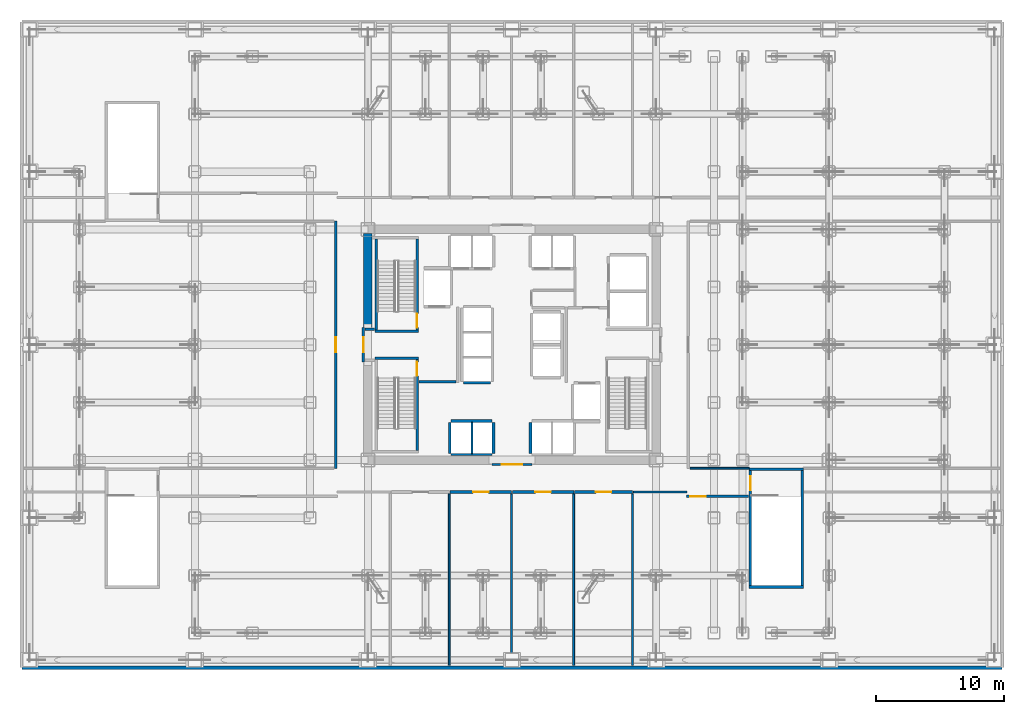
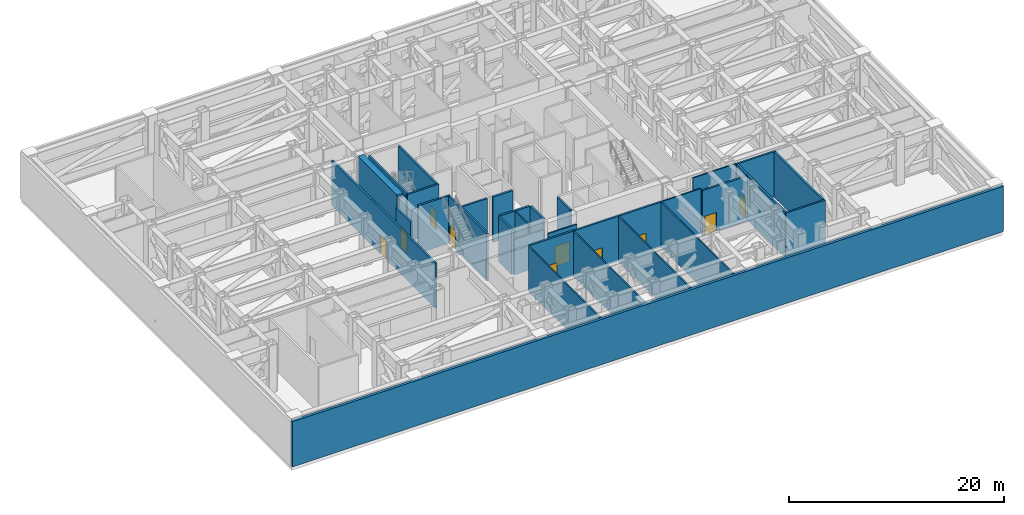
# One storey, part 10 of 17: 33 walls, 10 doors, 10 openings.
"""IFC4 building model written with IfcOpenShell, lengths in metres."""

from ifc_helpers import new_model, si_unit, direction, frame, frame_2d, origin, place, context, subcontext, project, spatial, rectangle, extrude, source, transform, mapped, material, layer, layer_set, type_object, element, fill, save


model = new_model("IFC4")

# Units and contexts
model_context = context("Model", 3, precision=1e-05, world=origin(), true_north=direction((0.0, 1.0)))
body_context = subcontext(model_context, "Body", "Model", "MODEL_VIEW")
ifc_project = project(units=[si_unit("LENGTHUNIT", "METRE"), si_unit("AREAUNIT", "SQUARE_METRE"), si_unit("VOLUMEUNIT", "CUBIC_METRE"), si_unit("PLANEANGLEUNIT", "RADIAN"), si_unit("MASSUNIT", "GRAM", prefix="KILO")], contexts=[model_context])

# Site, building, storey
site_placement = place(None, origin())
site = spatial("IfcSite", under=ifc_project, at=site_placement, CompositionType="ELEMENT")
building_placement = place(site_placement, origin())
building = spatial("IfcBuilding", under=site, at=building_placement, Name="Nefas-Gora Pilgrimage Tower", CompositionType="ELEMENT")
storey_placement = place(building_placement, frame((0.0, 0.0, 27.60009765625)))
storey = spatial("IfcBuildingStorey", under=building, at=storey_placement, Name="L05", CompositionType="ELEMENT", Elevation=27.60009765625)

# Walls
ifc_material_1 = material(Name="Concrete C60/75", Category="concrete")
ifc_layer_1 = layer(ifc_material_1, 0.64990234375)
ifc_layer_set_1 = layer_set([ifc_layer_1], Name="Concrete C60/75")
wall_type_1 = type_object("IfcWallType", Name="SW-CORE-650", PredefinedType="SHEAR", material=ifc_layer_set_1)
shared_shape_1 = source(origin(), body_context, "Body", "SweptSolid", [
    extrude(rectangle(XDim=7.324951171875, YDim=0.64990234375, at=frame_2d((3.66259765625, 0.0))), origin(), (0.0, 0.0, 1.0), 5.39990234375),
])
wall_1_placement = place(storey_placement, frame((-11.25, 1.35009765625, 0.0), z_axis=(0.0, 0.0, 1.0), x_axis=(0.0, 1.0, 0.0)))
element("IfcWall", 1, at=wall_1_placement, inside=storey, type_object=wall_type_1, Name="L05 Core Shear Wall W-North", PredefinedType="SHEAR", context=body_context, shape_type="MappedRepresentation", body=[
    mapped(shared_shape_1, transform((0.0, 0.0, 0.0), x_axis=(1.0, 0.0, 0.0), y_axis=(0.0, 1.0, 0.0), z_axis=(0.0, 0.0, 1.0), scale=1.0)),
])
ifc_material_2 = material(Name="Precast concrete C45/55", Category="concrete")
ifc_layer_2 = layer(ifc_material_2, 0.280029296875)
ifc_layer_set_2 = layer_set([ifc_layer_2], Name="Precast concrete C45/55")
wall_type_2 = type_object("IfcWallType", Name="EW-PLANT-280", PredefinedType="SOLIDWALL", material=ifc_layer_set_2)
shared_shape_2 = source(origin(), body_context, "Body", "SweptSolid", [
    extrude(rectangle(XDim=76.5, YDim=0.280029296875, at=frame_2d((38.25, 0.0))), origin(), (0.0, 0.0, 1.0), 5.14990234375),
])
wall_2_placement = place(storey_placement, frame((-38.25, -25.199951171875, 0.0), z_axis=(0.0, 0.0, 1.0), x_axis=(1.0, 0.0, 0.0)))
element("IfcWall", 2, at=wall_2_placement, inside=storey, type_object=wall_type_2, Name="L05 Transfer Deck Precast Spandrel Cladding 4", PredefinedType="SOLIDWALL", context=body_context, shape_type="MappedRepresentation", body=[
    mapped(shared_shape_2, transform((0.0, 0.0, 0.0), x_axis=(1.0, 0.0, 0.0), y_axis=(0.0, 1.0, 0.0), z_axis=(0.0, 0.0, 1.0), scale=1.0)),
])
ifc_material_3 = material(Name="Concrete C45/55", Category="concrete")
ifc_layer_3 = layer(ifc_material_3, 0.199951171875)
ifc_layer_set_3 = layer_set([ifc_layer_3], Name="Concrete C45/55")
wall_type_3 = type_object("IfcWallType", Name="IW-STAIR-200", PredefinedType="SOLIDWALL", material=ifc_layer_set_3)
shared_shape_3 = source(origin(), body_context, "Body", "SweptSolid", [
    extrude(rectangle(XDim=3.39990234375, YDim=0.199951171875, at=frame_2d((1.699951171875, 0.0))), origin(), (0.0, 0.0, 1.0), 5.39990234375),
])
for number, where, z_axis, x_axis, name in (
    (3, (-7.300048828125, 1.050048828125, 0.0), (0.0, 0.0, 1.0), (-1.0, 0.0, 0.0), "L05 Stairwell Shear Wall ST-01-near"),
    (4, (-10.699951171875, -1.050048828125, 0.0), (0.0, 0.0, 1.0), (1.0, 0.0, 0.0), "L05 Stairwell Shear Wall ST-03-near"),
):
    element("IfcWall", number, at=place(storey_placement, frame(where, z_axis=z_axis, x_axis=x_axis)), inside=storey, type_object=wall_type_3, Name=name, PredefinedType="SOLIDWALL", context=body_context, shape_type="MappedRepresentation", body=[
        mapped(shared_shape_3, transform((0.0, 0.0, 0.0), x_axis=(1.0, 0.0, 0.0), y_axis=(0.0, 1.0, 0.0), z_axis=(0.0, 0.0, 1.0), scale=1.0)),
    ])

# Wall, opening, door
shared_shape_4 = source(origin(), body_context, "Body", "SweptSolid", [
    extrude(rectangle(XDim=7.10009765625, YDim=0.199951171875, at=frame_2d((3.550048828125, 0.0))), origin(), (0.0, 0.0, 1.0), 5.39990234375),
])
wall_3_placement = place(storey_placement, frame((-7.39990234375, 1.14990234375, 0.0), z_axis=(0.0, 0.0, 1.0), x_axis=(0.0, 1.0, 0.0)))
wall_3 = element("IfcWall", 5, at=wall_3_placement, inside=storey, type_object=wall_type_3, Name="L05 Stairwell Shear Wall ST-01-left", PredefinedType="SOLIDWALL", context=body_context, shape_type="MappedRepresentation", body=[
    mapped(shared_shape_4, transform((0.0, 0.0, 0.0), x_axis=(1.0, 0.0, 0.0), y_axis=(0.0, 1.0, 0.0), z_axis=(0.0, 0.0, 1.0), scale=1.0)),
])
opening_1_placement = place(wall_3_placement, frame((0.179931640625, 0.0, 0.0)))
opening_1 = element("IfcOpeningElement", 6, at=opening_1_placement, cuts=wall_3, Name="Opening ID-ST1", PredefinedType="OPENING", context=body_context, shape_type="SweptSolid", body=[
    extrude(rectangle(XDim=1.10009765625, YDim=2.14990234375, at=frame_2d((0.550048828125, 1.074951171875))), frame((0.0, 0.10986328125, 0.0), z_axis=(0.0, -1.0, 0.0), x_axis=(1.0, 0.0, 0.0)), (0.0, 0.0, 1.0), 0.219970703125),
])
ifc_material_4 = material(Name="Painted galvanised steel fire stair door", Category="steel")
door_type_1 = type_object("IfcDoorType", Name="DR-INT-STAIR-1100", OperationType="NOTDEFINED", PredefinedType="DOOR", material=ifc_material_4)
shared_shape_5 = source(origin(), body_context, "Body", "SweptSolid", [
    extrude(rectangle(XDim=1.10009765625, YDim=2.14990234375, at=frame_2d((0.550048828125, 1.074951171875))), frame((0.0, 0.02490234375, 0.0), z_axis=(0.0, -1.0, 0.0), x_axis=(1.0, 0.0, 0.0)), (0.0, 0.0, 1.0), 0.050048828125),
])
door_1_placement = place(opening_1_placement, origin())
door_1 = element("IfcDoor", 7, at=door_1_placement, inside=storey, type_object=door_type_1, Name="L05 Protected Exit Stair Door ST-01", OperationType="SINGLE_SWING_LEFT", OverallHeight=2.14990234375, OverallWidth=1.10009765625, PredefinedType="DOOR", context=body_context, shape_type="MappedRepresentation", body=[
    mapped(shared_shape_5, transform((0.0, 0.0, 0.0), x_axis=(1.0, 0.0, 0.0), y_axis=(0.0, 1.0, 0.0), z_axis=(0.0, 0.0, 1.0), scale=1.0)),
])
fill(opening_1, door_1)

# Wall
wall_4_placement = place(storey_placement, frame((-10.60009765625, 1.14990234375, 0.0), z_axis=(0.0, 0.0, 1.0), x_axis=(0.0, 1.0, 0.0)))
element("IfcWall", 8, at=wall_4_placement, inside=storey, type_object=wall_type_3, Name="L05 Stairwell Shear Wall ST-01-right", PredefinedType="SOLIDWALL", context=body_context, shape_type="MappedRepresentation", body=[
    mapped(shared_shape_4, transform((0.0, 0.0, 0.0), x_axis=(1.0, 0.0, 0.0), y_axis=(0.0, 1.0, 0.0), z_axis=(0.0, 0.0, 1.0), scale=1.0)),
])

# Wall, opening, door
wall_5_placement = place(storey_placement, frame((-7.39990234375, -1.14990234375, 0.0), z_axis=(0.0, 0.0, 1.0), x_axis=(0.0, -1.0, 0.0)))
wall_5 = element("IfcWall", 9, at=wall_5_placement, inside=storey, type_object=wall_type_3, Name="L05 Stairwell Shear Wall ST-03-right", PredefinedType="SOLIDWALL", context=body_context, shape_type="MappedRepresentation", body=[
    mapped(shared_shape_4, transform((0.0, 0.0, 0.0), x_axis=(1.0, 0.0, 0.0), y_axis=(0.0, 1.0, 0.0), z_axis=(0.0, 0.0, 1.0), scale=1.0)),
])
opening_2_placement = place(wall_5_placement, frame((0.179931640625, 0.0, 0.0)))
opening_2 = element("IfcOpeningElement", 10, at=opening_2_placement, cuts=wall_5, Name="Opening ID-ST1", PredefinedType="OPENING", context=body_context, shape_type="SweptSolid", body=[
    extrude(rectangle(XDim=1.10009765625, YDim=2.14990234375, at=frame_2d((0.550048828125, 1.074951171875))), frame((0.0, 0.10986328125, 0.0), z_axis=(0.0, -1.0, 0.0), x_axis=(1.0, 0.0, 0.0)), (0.0, 0.0, 1.0), 0.219970703125),
])
door_2_placement = place(opening_2_placement, origin())
door_2 = element("IfcDoor", 11, at=door_2_placement, inside=storey, type_object=door_type_1, Name="L05 Protected Exit Stair Door ST-03", OperationType="SINGLE_SWING_LEFT", OverallHeight=2.14990234375, OverallWidth=1.10009765625, PredefinedType="DOOR", context=body_context, shape_type="MappedRepresentation", body=[
    mapped(shared_shape_5, transform((0.0, 0.0, 0.0), x_axis=(1.0, 0.0, 0.0), y_axis=(0.0, 1.0, 0.0), z_axis=(0.0, 0.0, 1.0), scale=1.0)),
])
fill(opening_2, door_2)

# Walls
shared_shape_6 = source(origin(), body_context, "Body", "SweptSolid", [
    extrude(rectangle(XDim=4.239990234375, YDim=0.199951171875, at=frame_2d((2.1201171875, 0.0))), origin(), (0.0, 0.0, 1.0), 5.14990234375),
])
for number, where, z_axis, x_axis, name in (
    (12, (18.5, -9.699951171875, 0.0), (0.0, 0.0, 1.0), (1.0, 0.0, 0.0), "L05 Stairwell Shear Wall ST-06-near"),
    (13, (18.5, -18.89990234375, 0.0), (0.0, 0.0, 1.0), (1.0, 0.0, 0.0), "L05 Stairwell Shear Wall ST-06-far"),
):
    element("IfcWall", number, at=place(storey_placement, frame(where, z_axis=z_axis, x_axis=x_axis)), inside=storey, type_object=wall_type_3, Name=name, PredefinedType="SOLIDWALL", context=body_context, shape_type="MappedRepresentation", body=[
        mapped(shared_shape_6, transform((0.0, 0.0, 0.0), x_axis=(1.0, 0.0, 0.0), y_axis=(0.0, 1.0, 0.0), z_axis=(0.0, 0.0, 1.0), scale=1.0)),
    ])

# Wall, opening, door
shared_shape_7 = source(origin(), body_context, "Body", "SweptSolid", [
    extrude(rectangle(XDim=9.0, YDim=0.199951171875, at=frame_2d((4.5, 0.0))), origin(), (0.0, 0.0, 1.0), 5.14990234375),
])
wall_6_placement = place(storey_placement, frame((18.60009765625, -9.800048828125, 0.0), z_axis=(0.0, 0.0, 1.0), x_axis=(0.0, -1.0, 0.0)))
wall_6 = element("IfcWall", 14, at=wall_6_placement, inside=storey, type_object=wall_type_3, Name="L05 Stairwell Shear Wall ST-06-left", PredefinedType="SOLIDWALL", context=body_context, shape_type="MappedRepresentation", body=[
    mapped(shared_shape_7, transform((0.0, 0.0, 0.0), x_axis=(1.0, 0.0, 0.0), y_axis=(0.0, 1.0, 0.0), z_axis=(0.0, 0.0, 1.0), scale=1.0)),
])
opening_3_placement = place(wall_6_placement, frame((0.449951171875, 0.0, 0.0)))
opening_3 = element("IfcOpeningElement", 15, at=opening_3_placement, cuts=wall_6, Name="Opening ID-ST1", PredefinedType="OPENING", context=body_context, shape_type="SweptSolid", body=[
    extrude(rectangle(XDim=1.10009765625, YDim=2.14990234375, at=frame_2d((0.550048828125, 1.074951171875))), frame((0.0, 0.10986328125, 0.0), z_axis=(0.0, -1.0, 0.0), x_axis=(1.0, 0.0, 0.0)), (0.0, 0.0, 1.0), 0.219970703125),
])
door_3_placement = place(opening_3_placement, origin())
door_3 = element("IfcDoor", 16, at=door_3_placement, inside=storey, type_object=door_type_1, Name="L05 Protected Exit Stair Door ST-06", OperationType="SINGLE_SWING_LEFT", OverallHeight=2.14990234375, OverallWidth=1.10009765625, PredefinedType="DOOR", context=body_context, shape_type="MappedRepresentation", body=[
    mapped(shared_shape_5, transform((0.0, 0.0, 0.0), x_axis=(1.0, 0.0, 0.0), y_axis=(0.0, 1.0, 0.0), z_axis=(0.0, 0.0, 1.0), scale=1.0)),
])
fill(opening_3, door_3)

# Walls
wall_7_placement = place(storey_placement, frame((22.639892578125, -9.800048828125, 0.0), z_axis=(0.0, 0.0, 1.0), x_axis=(0.0, -1.0, 0.0)))
element("IfcWall", 17, at=wall_7_placement, inside=storey, type_object=wall_type_3, Name="L05 Stairwell Shear Wall ST-06-right", PredefinedType="SOLIDWALL", context=body_context, shape_type="MappedRepresentation", body=[
    mapped(shared_shape_7, transform((0.0, 0.0, 0.0), x_axis=(1.0, 0.0, 0.0), y_axis=(0.0, 1.0, 0.0), z_axis=(0.0, 0.0, 1.0), scale=1.0)),
])
ifc_material_5 = material(Name="Concrete C40/50", Category="concrete")
ifc_layer_4 = layer(ifc_material_5, 0.219970703125)
ifc_layer_set_4 = layer_set([ifc_layer_4], Name="Concrete C40/50")
wall_type_4 = type_object("IfcWallType", Name="IW-SHAFT-220", PredefinedType="SOLIDWALL", material=ifc_layer_set_4)
shared_shape_8 = source(origin(), body_context, "Body", "SweptSolid", [
    extrude(rectangle(XDim=3.199951171875, YDim=0.219970703125, at=frame_2d((1.60009765625, 0.0))), origin(), (0.0, 0.0, 1.0), 5.135009765625),
])
wall_8_placement = place(storey_placement, frame((-1.550048828125, -5.93994140625, 0.0), z_axis=(0.0, 0.0, 1.0), x_axis=(-1.0, 0.0, 0.0)))
element("IfcWall", 18, at=wall_8_placement, inside=storey, type_object=wall_type_4, Name="L05 Hoistway Wall PL2-W-N", PredefinedType="SOLIDWALL", context=body_context, shape_type="MappedRepresentation", body=[
    mapped(shared_shape_8, transform((0.0, 0.0, 0.0), x_axis=(1.0, 0.0, 0.0), y_axis=(0.0, 1.0, 0.0), z_axis=(0.0, 0.0, 1.0), scale=1.0)),
])
ifc_material_6 = material(Name="Gypsum acoustic stud partition")
ifc_layer_5 = layer(ifc_material_6, 0.159912109375)
ifc_layer_set_5 = layer_set([ifc_layer_5], Name="Gypsum acoustic stud partition")
wall_type_5 = type_object("IfcWallType", Name="IW-CORR-160", PredefinedType="PARTITIONING", material=ifc_layer_set_5)
shared_shape_9 = source(origin(), body_context, "Body", "SweptSolid", [
    extrude(rectangle(XDim=3.199951171875, YDim=0.159912109375, at=frame_2d((1.60009765625, 0.0))), origin(), (0.0, 0.0, 1.0), 4.02490234375),
])
wall_9_placement = place(storey_placement, frame((-4.75, -8.580078125, 0.0), z_axis=(0.0, 0.0, 1.0), x_axis=(1.0, 0.0, 0.0)))
element("IfcWall", 19, at=wall_9_placement, inside=storey, type_object=wall_type_5, Name="L05 Hoistway Wall PL2-W-S", PredefinedType="PARTITIONING", context=body_context, shape_type="MappedRepresentation", body=[
    mapped(shared_shape_9, transform((0.0, 0.0, 0.0), x_axis=(1.0, 0.0, 0.0), y_axis=(0.0, 1.0, 0.0), z_axis=(0.0, 0.0, 1.0), scale=1.0)),
])
shared_shape_10 = source(origin(), body_context, "Body", "SweptSolid", [
    extrude(rectangle(XDim=2.429931640625, YDim=0.219970703125, at=frame_2d((1.21484375, 0.0))), origin(), (0.0, 0.0, 1.0), 5.135009765625),
])
for number, where, z_axis, x_axis, name in (
    (20, (-4.860107421875, -6.06005859375, 0.0), (0.0, 0.0, 1.0), (0.0, -1.0, 0.0), "L05 Hoistway Wall PL2-W-W"),
    (21, (-1.43994140625, -8.489990234375, 0.0), (0.0, 0.0, 1.0), (0.0, 1.0, 0.0), "L05 Hoistway Wall PL2-W-E"),
    (22, (1.43994140625, -6.06005859375, 0.0), (0.0, 0.0, 1.0), (0.0, -1.0, 0.0), "L05 Hoistway Wall PL2-E-W"),
):
    element("IfcWall", number, at=place(storey_placement, frame(where, z_axis=z_axis, x_axis=x_axis)), inside=storey, type_object=wall_type_4, Name=name, PredefinedType="SOLIDWALL", context=body_context, shape_type="MappedRepresentation", body=[
        mapped(shared_shape_10, transform((0.0, 0.0, 0.0), x_axis=(1.0, 0.0, 0.0), y_axis=(0.0, 1.0, 0.0), z_axis=(0.0, 0.0, 1.0), scale=1.0)),
    ])
ifc_material_7 = material(Name="Gypsum twin-stud partition")
ifc_layer_6 = layer(ifc_material_7, 0.139892578125)
ifc_layer_set_6 = layer_set([ifc_layer_6], Name="Gypsum twin-stud partition")
wall_type_6 = type_object("IfcWallType", Name="IW-UNIT-140", PredefinedType="PARTITIONING", material=ifc_layer_set_6)
shared_shape_11 = source(origin(), body_context, "Body", "SweptSolid", [
    extrude(rectangle(XDim=2.429931640625, YDim=0.139892578125, at=frame_2d((1.21484375, 0.0))), origin(), (0.0, 0.0, 1.0), 5.135009765625),
])
wall_10_placement = place(storey_placement, frame((-3.125, -8.489990234375, 0.0), z_axis=(0.0, 0.0, 1.0), x_axis=(0.0, 1.0, 0.0)))
element("IfcWall", 23, at=wall_10_placement, inside=storey, type_object=wall_type_6, Name="L05 Hoistway Wall PL2-W-DIV", PredefinedType="PARTITIONING", context=body_context, shape_type="MappedRepresentation", body=[
    mapped(shared_shape_11, transform((0.0, 0.0, 0.0), x_axis=(1.0, 0.0, 0.0), y_axis=(0.0, 1.0, 0.0), z_axis=(0.0, 0.0, 1.0), scale=1.0)),
])
shared_shape_12 = source(origin(), body_context, "Body", "SweptSolid", [
    extrude(rectangle(XDim=2.130126953125, YDim=0.219970703125, at=frame_2d((1.06494140625, 0.0))), origin(), (0.0, 0.0, 1.0), 5.135009765625),
])
wall_11_placement = place(storey_placement, frame((-3.7900390625, -2.9599609375, 0.0), z_axis=(0.0, 0.0, 1.0), x_axis=(1.0, 0.0, 0.0)))
element("IfcWall", 24, at=wall_11_placement, inside=storey, type_object=wall_type_4, Name="L05 Hoistway Wall PL3-01-S", PredefinedType="SOLIDWALL", context=body_context, shape_type="MappedRepresentation", body=[
    mapped(shared_shape_12, transform((0.0, 0.0, 0.0), x_axis=(1.0, 0.0, 0.0), y_axis=(0.0, 1.0, 0.0), z_axis=(0.0, 0.0, 1.0), scale=1.0)),
])

# Wall, opening, door
ifc_material_8 = material(Name="Gypsum fire-rated shaftwall")
ifc_layer_7 = layer(ifc_material_8, 0.199951171875)
ifc_layer_set_7 = layer_set([ifc_layer_7], Name="Gypsum fire-rated shaftwall")
wall_type_7 = type_object("IfcWallType", Name="IW-FFLOB-200", PredefinedType="PARTITIONING", material=ifc_layer_set_7)
shared_shape_13 = source(origin(), body_context, "Body", "SweptSolid", [
    extrude(rectangle(XDim=2.7001953125, YDim=0.199951171875, at=frame_2d((1.35009765625, 0.0))), origin(), (0.0, 0.0, 1.0), 4.02490234375),
])
wall_12_placement = place(storey_placement, frame((-11.60009765625, -1.35009765625, 0.0), z_axis=(0.0, 0.0, 1.0), x_axis=(0.0, 1.0, 0.0)))
wall_12 = element("IfcWall", 25, at=wall_12_placement, inside=storey, type_object=wall_type_7, Name="L05 FF Lobby West Portal Wall 3", PredefinedType="PARTITIONING", context=body_context, shape_type="MappedRepresentation", body=[
    mapped(shared_shape_13, transform((0.0, 0.0, 0.0), x_axis=(1.0, 0.0, 0.0), y_axis=(0.0, 1.0, 0.0), z_axis=(0.0, 0.0, 1.0), scale=1.0)),
])
opening_4_placement = place(wall_12_placement, frame((0.75, 0.0, 0.0)))
opening_4 = element("IfcOpeningElement", 26, at=opening_4_placement, cuts=wall_12, Name="Opening ID-FF1", PredefinedType="OPENING", context=body_context, shape_type="SweptSolid", body=[
    extrude(rectangle(XDim=1.199951171875, YDim=2.14990234375, at=frame_2d((0.60009765625, 1.074951171875))), frame((0.0, 0.10986328125, 0.0), z_axis=(0.0, -1.0, 0.0), x_axis=(1.0, 0.0, 0.0)), (0.0, 0.0, 1.0), 0.219970703125),
])
ifc_material_9 = material(Name="Smoke-sealed steel firefighting lobby door", Category="steel")
door_type_2 = type_object("IfcDoorType", Name="DR-INT-FFLOB-1200", OperationType="NOTDEFINED", PredefinedType="DOOR", material=ifc_material_9)
shared_shape_14 = source(origin(), body_context, "Body", "SweptSolid", [
    extrude(rectangle(XDim=1.199951171875, YDim=2.14990234375, at=frame_2d((0.60009765625, 1.074951171875))), frame((0.0, 0.02490234375, 0.0), z_axis=(0.0, -1.0, 0.0), x_axis=(1.0, 0.0, 0.0)), (0.0, 0.0, 1.0), 0.050048828125),
])
door_4_placement = place(opening_4_placement, origin())
door_4 = element("IfcDoor", 27, at=door_4_placement, inside=storey, type_object=door_type_2, Name="L05 FF Lobby West Portal Door 1", OperationType="SINGLE_SWING_LEFT", OverallHeight=2.14990234375, OverallWidth=1.199951171875, PredefinedType="DOOR", context=body_context, shape_type="MappedRepresentation", body=[
    mapped(shared_shape_14, transform((0.0, 0.0, 0.0), x_axis=(1.0, 0.0, 0.0), y_axis=(0.0, 1.0, 0.0), z_axis=(0.0, 0.0, 1.0), scale=1.0)),
])
fill(opening_4, door_4)

# Walls
shared_shape_15 = source(origin(), body_context, "Body", "SweptSolid", [
    extrude(rectangle(XDim=2.89990234375, YDim=0.199951171875, at=frame_2d((1.449951171875, 0.0))), origin(), (0.0, 0.0, 1.0), 5.135009765625),
])
wall_13_placement = place(storey_placement, frame((-7.260009765625, -2.89990234375, 0.0), z_axis=(0.0, 0.0, 1.0), x_axis=(1.0, 0.0, 0.0)))
element("IfcWall", 28, at=wall_13_placement, inside=storey, type_object=wall_type_7, Name="L05 FF Lobby West South Wall Wall 5", PredefinedType="PARTITIONING", context=body_context, shape_type="MappedRepresentation", body=[
    mapped(shared_shape_15, transform((0.0, 0.0, 0.0), x_axis=(1.0, 0.0, 0.0), y_axis=(0.0, 1.0, 0.0), z_axis=(0.0, 0.0, 1.0), scale=1.0)),
])
shared_shape_16 = source(origin(), body_context, "Body", "SweptSolid", [
    extrude(rectangle(XDim=0.719970703125, YDim=0.199951171875, at=frame_2d((0.35986328125, 0.0))), origin(), (0.0, 0.0, 1.0), 5.135009765625),
])
wall_14_placement = place(storey_placement, frame((-11.4599609375, 1.219970703125, 0.0), z_axis=(0.0, 0.0, 1.0), x_axis=(1.0, 0.0, 0.0)))
element("IfcWall", 29, at=wall_14_placement, inside=storey, type_object=wall_type_7, Name="L05 FF Lobby West Throat N Wall 6", PredefinedType="PARTITIONING", context=body_context, shape_type="MappedRepresentation", body=[
    mapped(shared_shape_16, transform((0.0, 0.0, 0.0), x_axis=(1.0, 0.0, 0.0), y_axis=(0.0, 1.0, 0.0), z_axis=(0.0, 0.0, 1.0), scale=1.0)),
])

# Wall, opening, door
shared_shape_17 = source(origin(), body_context, "Body", "SweptSolid", [
    extrude(rectangle(XDim=3.08984375, YDim=0.159912109375, at=frame_2d((1.544921875, 0.0))), origin(), (0.0, 0.0, 1.0), 4.02490234375),
])
wall_15_placement = place(storey_placement, frame((-1.544921875, -9.35009765625, 0.0), z_axis=(0.0, 0.0, 1.0), x_axis=(1.0, 0.0, 0.0)))
wall_15 = element("IfcWall", 30, at=wall_15_placement, inside=storey, type_object=wall_type_5, Name="L05 Central Lift Lobby South Portal Wall 15", PredefinedType="PARTITIONING", context=body_context, shape_type="MappedRepresentation", body=[
    mapped(shared_shape_17, transform((0.0, 0.0, 0.0), x_axis=(1.0, 0.0, 0.0), y_axis=(0.0, 1.0, 0.0), z_axis=(0.0, 0.0, 1.0), scale=1.0)),
])
opening_5_placement = place(wall_15_placement, frame((0.7451171875, 0.0, 0.0)))
opening_5 = element("IfcOpeningElement", 31, at=opening_5_placement, cuts=wall_15, Name="Opening ID-HL1", PredefinedType="OPENING", context=body_context, shape_type="SweptSolid", body=[
    extrude(rectangle(XDim=1.60009765625, YDim=2.300048828125, at=frame_2d((0.800048828125, 1.14990234375))), frame((0.0, 0.08984375, 0.0), z_axis=(0.0, -1.0, 0.0), x_axis=(1.0, 0.0, 0.0)), (0.0, 0.0, 1.0), 0.179931640625),
])
ifc_material_10 = material(Name="Double acoustic timber assembly hall door", Category="wood")
door_type_3 = type_object("IfcDoorType", Name="DR-INT-HALL-1600", OperationType="DOUBLE_DOOR_SINGLE_SWING", PredefinedType="DOOR", material=ifc_material_10)
shared_shape_18 = source(origin(), body_context, "Body", "SweptSolid", [
    extrude(rectangle(XDim=1.60009765625, YDim=2.300048828125, at=frame_2d((0.800048828125, 1.14990234375))), frame((0.0, 0.02490234375, 0.0), z_axis=(0.0, -1.0, 0.0), x_axis=(1.0, 0.0, 0.0)), (0.0, 0.0, 1.0), 0.050048828125),
])
door_5_placement = place(opening_5_placement, origin())
door_5 = element("IfcDoor", 32, at=door_5_placement, inside=storey, type_object=door_type_3, Name="L05 Central Lift Lobby South Portal Door 5", OperationType="DOUBLE_DOOR_SINGLE_SWING", OverallHeight=2.300048828125, OverallWidth=1.60009765625, PredefinedType="DOOR", context=body_context, shape_type="MappedRepresentation", body=[
    mapped(shared_shape_18, transform((0.0, 0.0, 0.0), x_axis=(1.0, 0.0, 0.0), y_axis=(0.0, 1.0, 0.0), z_axis=(0.0, 0.0, 1.0), scale=1.0)),
])
fill(opening_5, door_5)

ifc_layer_8 = layer(ifc_material_5, 0.199951171875)
ifc_layer_set_8 = layer_set([ifc_layer_8], Name="Concrete C40/50")
wall_type_8 = type_object("IfcWallType", Name="IW-PLANT-200", PredefinedType="SOLIDWALL", material=ifc_layer_set_8)
shared_shape_19 = source(origin(), body_context, "Body", "SweptSolid", [
    extrude(rectangle(XDim=19.27978515625, YDim=0.199951171875, at=frame_2d((9.639892578125, 0.0))), origin(), (0.0, 0.0, 1.0), 5.135009765625),
])
wall_16_placement = place(storey_placement, frame((-13.75, -9.639892578125, 0.0), z_axis=(0.0, 0.0, 1.0), x_axis=(0.0, 1.0, 0.0)))
wall_16 = element("IfcWall", 33, at=wall_16_placement, inside=storey, type_object=wall_type_8, Name="L05 Refuge Area West Partition Wall 19", PredefinedType="SOLIDWALL", context=body_context, shape_type="MappedRepresentation", body=[
    mapped(shared_shape_19, transform((0.0, 0.0, 0.0), x_axis=(1.0, 0.0, 0.0), y_axis=(0.0, 1.0, 0.0), z_axis=(0.0, 0.0, 1.0), scale=1.0)),
])
opening_6_placement = place(wall_16_placement, frame((9.0400390625, 0.0, 0.0)))
opening_6 = element("IfcOpeningElement", 34, at=opening_6_placement, cuts=wall_16, Name="Opening ID-PL1", PredefinedType="OPENING", context=body_context, shape_type="SweptSolid", body=[
    extrude(rectangle(XDim=1.199951171875, YDim=2.14990234375, at=frame_2d((0.60009765625, 1.074951171875))), frame((0.0, 0.10986328125, 0.0), z_axis=(0.0, -1.0, 0.0), x_axis=(1.0, 0.0, 0.0)), (0.0, 0.0, 1.0), 0.219970703125),
])
ifc_material_11 = material(Name="Heavy-duty steel plant room fire door", Category="steel")
door_type_4 = type_object("IfcDoorType", Name="DR-INT-PLANT-1200", OperationType="NOTDEFINED", PredefinedType="DOOR", material=ifc_material_11)
door_6_placement = place(opening_6_placement, origin())
door_6 = element("IfcDoor", 35, at=door_6_placement, inside=storey, type_object=door_type_4, Name="L05 Refuge Area West Door 7", OperationType="SINGLE_SWING_LEFT", OverallHeight=2.14990234375, OverallWidth=1.199951171875, PredefinedType="DOOR", context=body_context, shape_type="MappedRepresentation", body=[
    mapped(shared_shape_14, transform((0.0, 0.0, 0.0), x_axis=(1.0, 0.0, 0.0), y_axis=(0.0, 1.0, 0.0), z_axis=(0.0, 0.0, 1.0), scale=1.0)),
])
fill(opening_6, door_6)

# Walls
shared_shape_20 = source(origin(), body_context, "Body", "SweptSolid", [
    extrude(rectangle(XDim=4.605224609375, YDim=0.139892578125, at=frame_2d((2.302734375, 0.0))), origin(), (0.0, 0.0, 1.0), 5.135009765625),
])
wall_17_placement = place(storey_placement, frame((13.889892578125, -9.6298828125, 0.0), z_axis=(0.0, 0.0, 1.0), x_axis=(1.0, 0.0, 0.0)))
element("IfcWall", 36, at=wall_17_placement, inside=storey, type_object=wall_type_6, Name="L05 Refuge Area East Partition Wall 25", PredefinedType="PARTITIONING", context=body_context, shape_type="MappedRepresentation", body=[
    mapped(shared_shape_20, transform((0.0, 0.0, 0.0), x_axis=(1.0, 0.0, 0.0), y_axis=(0.0, 1.0, 0.0), z_axis=(0.0, 0.0, 1.0), scale=1.0)),
])
shared_shape_21 = source(origin(), body_context, "Body", "SweptSolid", [
    extrude(rectangle(XDim=4.159912109375, YDim=0.139892578125, at=frame_2d((2.080078125, 0.0))), origin(), (0.0, 0.0, 1.0), 5.135009765625),
])
wall_18_placement = place(storey_placement, frame((9.47998046875, -11.489990234375, 0.0), z_axis=(0.0, 0.0, 1.0), x_axis=(1.0, 0.0, 0.0)))
element("IfcWall", 37, at=wall_18_placement, inside=storey, type_object=wall_type_6, Name="L05 Emergency Smoke Extract Fan Plant Room Partition Wall 54", PredefinedType="PARTITIONING", context=body_context, shape_type="MappedRepresentation", body=[
    mapped(shared_shape_21, transform((0.0, 0.0, 0.0), x_axis=(1.0, 0.0, 0.0), y_axis=(0.0, 1.0, 0.0), z_axis=(0.0, 0.0, 1.0), scale=1.0)),
])

# Wall, opening, door
shared_shape_22 = source(origin(), body_context, "Body", "SweptSolid", [
    extrude(rectangle(XDim=4.5400390625, YDim=0.199951171875, at=frame_2d((2.27001953125, 0.0))), origin(), (0.0, 0.0, 1.0), 5.135009765625),
])
wall_19_placement = place(storey_placement, frame((4.8798828125, -11.489990234375, 0.0), z_axis=(0.0, 0.0, 1.0), x_axis=(1.0, 0.0, 0.0)))
wall_19 = element("IfcWall", 38, at=wall_19_placement, inside=storey, type_object=wall_type_8, Name="L05 Emergency Life-Safety UPS Plant Room Partition Wall 51", PredefinedType="SOLIDWALL", context=body_context, shape_type="MappedRepresentation", body=[
    mapped(shared_shape_22, transform((0.0, 0.0, 0.0), x_axis=(1.0, 0.0, 0.0), y_axis=(0.0, 1.0, 0.0), z_axis=(0.0, 0.0, 1.0), scale=1.0)),
])
opening_7_placement = place(wall_19_placement, frame((1.669921875, 0.0, 0.0)))
opening_7 = element("IfcOpeningElement", 39, at=opening_7_placement, cuts=wall_19, Name="Opening ID-PL1", PredefinedType="OPENING", context=body_context, shape_type="SweptSolid", body=[
    extrude(rectangle(XDim=1.199951171875, YDim=2.14990234375, at=frame_2d((0.60009765625, 1.074951171875))), frame((0.0, 0.10986328125, 0.0), z_axis=(0.0, -1.0, 0.0), x_axis=(1.0, 0.0, 0.0)), (0.0, 0.0, 1.0), 0.219970703125),
])
door_7_placement = place(opening_7_placement, origin())
door_7 = element("IfcDoor", 40, at=door_7_placement, inside=storey, type_object=door_type_4, Name="L05 Emergency Life-Safety UPS Plant Room Door 19", OperationType="SINGLE_SWING_LEFT", OverallHeight=2.14990234375, OverallWidth=1.199951171875, PredefinedType="DOOR", context=body_context, shape_type="MappedRepresentation", body=[
    mapped(shared_shape_14, transform((0.0, 0.0, 0.0), x_axis=(1.0, 0.0, 0.0), y_axis=(0.0, 1.0, 0.0), z_axis=(0.0, 0.0, 1.0), scale=1.0)),
])
fill(opening_7, door_7)

# Walls
shared_shape_23 = source(origin(), body_context, "Body", "SweptSolid", [
    extrude(rectangle(XDim=13.39013671875, YDim=0.139892578125, at=frame_2d((6.695068359375, 0.0))), origin(), (0.0, 0.0, 1.0), 5.135009765625),
])
for number, where, z_axis, x_axis, name in (
    (41, (-4.889892578125, -25.02001953125, 0.0), (0.0, 0.0, 1.0), (0.0, 1.0, 0.0), "L05 Fire Sprinkler Booster Pump Plant Room Partition Wall 46"),
    (42, (-0.0400390625, -25.02001953125, 0.0), (0.0, 0.0, 1.0), (0.0, 1.0, 0.0), "L05 Domestic Cold Water Booster Plant Room Partition Wall 48"),
    (43, (4.81005859375, -25.02001953125, 0.0), (0.0, 0.0, 1.0), (0.0, 1.0, 0.0), "L05 Domestic and Fire Reserve Water Tank Plant Room Partition Wall 50"),
    (44, (9.409912109375, -25.02001953125, 0.0), (0.0, 0.0, 1.0), (0.0, 1.0, 0.0), "L05 Emergency Life-Safety UPS Plant Room Partition Wall 52"),
):
    element("IfcWall", number, at=place(storey_placement, frame(where, z_axis=z_axis, x_axis=x_axis)), inside=storey, type_object=wall_type_6, Name=name, PredefinedType="PARTITIONING", context=body_context, shape_type="MappedRepresentation", body=[
        mapped(shared_shape_23, transform((0.0, 0.0, 0.0), x_axis=(1.0, 0.0, 0.0), y_axis=(0.0, 1.0, 0.0), z_axis=(0.0, 0.0, 1.0), scale=1.0)),
    ])

# Wall, opening, door
shared_shape_24 = source(origin(), body_context, "Body", "SweptSolid", [
    extrude(rectangle(XDim=4.7900390625, YDim=0.199951171875, at=frame_2d((2.39501953125, 0.0))), origin(), (0.0, 0.0, 1.0), 5.135009765625),
])
wall_20_placement = place(storey_placement, frame((-4.820068359375, -11.489990234375, 0.0), z_axis=(0.0, 0.0, 1.0), x_axis=(1.0, 0.0, 0.0)))
wall_20 = element("IfcWall", 45, at=wall_20_placement, inside=storey, type_object=wall_type_8, Name="L05 Domestic Cold Water Booster Plant Room Partition Wall 47", PredefinedType="SOLIDWALL", context=body_context, shape_type="MappedRepresentation", body=[
    mapped(shared_shape_24, transform((0.0, 0.0, 0.0), x_axis=(1.0, 0.0, 0.0), y_axis=(0.0, 1.0, 0.0), z_axis=(0.0, 0.0, 1.0), scale=1.0)),
])
opening_8_placement = place(wall_20_placement, frame((1.794921875, 0.0, 0.0)))
opening_8 = element("IfcOpeningElement", 46, at=opening_8_placement, cuts=wall_20, Name="Opening ID-PL1", PredefinedType="OPENING", context=body_context, shape_type="SweptSolid", body=[
    extrude(rectangle(XDim=1.199951171875, YDim=2.14990234375, at=frame_2d((0.60009765625, 1.074951171875))), frame((0.0, 0.10986328125, 0.0), z_axis=(0.0, -1.0, 0.0), x_axis=(1.0, 0.0, 0.0)), (0.0, 0.0, 1.0), 0.219970703125),
])
door_8_placement = place(opening_8_placement, origin())
door_8 = element("IfcDoor", 47, at=door_8_placement, inside=storey, type_object=door_type_4, Name="L05 Domestic Cold Water Booster Plant Room Door 17", OperationType="SINGLE_SWING_LEFT", OverallHeight=2.14990234375, OverallWidth=1.199951171875, PredefinedType="DOOR", context=body_context, shape_type="MappedRepresentation", body=[
    mapped(shared_shape_14, transform((0.0, 0.0, 0.0), x_axis=(1.0, 0.0, 0.0), y_axis=(0.0, 1.0, 0.0), z_axis=(0.0, 0.0, 1.0), scale=1.0)),
])
fill(opening_8, door_8)

wall_21_placement = place(storey_placement, frame((0.030029296875, -11.489990234375, 0.0), z_axis=(0.0, 0.0, 1.0), x_axis=(1.0, 0.0, 0.0)))
wall_21 = element("IfcWall", 48, at=wall_21_placement, inside=storey, type_object=wall_type_8, Name="L05 Domestic and Fire Reserve Water Tank Plant Room Partition Wall 49", PredefinedType="SOLIDWALL", context=body_context, shape_type="MappedRepresentation", body=[
    mapped(shared_shape_24, transform((0.0, 0.0, 0.0), x_axis=(1.0, 0.0, 0.0), y_axis=(0.0, 1.0, 0.0), z_axis=(0.0, 0.0, 1.0), scale=1.0)),
])
opening_9_placement = place(wall_21_placement, frame((1.794921875, 0.0, 0.0)))
opening_9 = element("IfcOpeningElement", 49, at=opening_9_placement, cuts=wall_21, Name="Opening ID-PL1", PredefinedType="OPENING", context=body_context, shape_type="SweptSolid", body=[
    extrude(rectangle(XDim=1.199951171875, YDim=2.14990234375, at=frame_2d((0.60009765625, 1.074951171875))), frame((0.0, 0.10986328125, 0.0), z_axis=(0.0, -1.0, 0.0), x_axis=(1.0, 0.0, 0.0)), (0.0, 0.0, 1.0), 0.219970703125),
])
door_9_placement = place(opening_9_placement, origin())
door_9 = element("IfcDoor", 50, at=door_9_placement, inside=storey, type_object=door_type_4, Name="L05 Domestic and Fire Reserve Water Tank Plant Room Door 18", OperationType="SINGLE_SWING_RIGHT", OverallHeight=2.14990234375, OverallWidth=1.199951171875, PredefinedType="DOOR", context=body_context, shape_type="MappedRepresentation", body=[
    mapped(shared_shape_14, transform((0.0, 0.0, 0.0), x_axis=(1.0, 0.0, 0.0), y_axis=(0.0, 1.0, 0.0), z_axis=(0.0, 0.0, 1.0), scale=1.0)),
])
fill(opening_9, door_9)

shared_shape_25 = source(origin(), body_context, "Body", "SweptSolid", [
    extrude(rectangle(XDim=4.83984375, YDim=0.199951171875, at=frame_2d((2.419921875, 0.0))), origin(), (0.0, 0.0, 1.0), 5.135009765625),
])
wall_22_placement = place(storey_placement, frame((13.6201171875, -11.830078125, 0.0), z_axis=(0.0, 0.0, 1.0), x_axis=(1.0, 0.0, 0.0)))
wall_22 = element("IfcWall", 51, at=wall_22_placement, inside=storey, type_object=wall_type_8, Name="L05 Emergency Smoke Extract Fan Plant Room Partition Wall 53", PredefinedType="SOLIDWALL", context=body_context, shape_type="MappedRepresentation", body=[
    mapped(shared_shape_25, transform((0.0, 0.0, 0.0), x_axis=(1.0, 0.0, 0.0), y_axis=(0.0, 1.0, 0.0), z_axis=(0.0, 0.0, 1.0), scale=1.0)),
])
opening_10_placement = place(wall_22_placement, frame((0.280029296875, 0.0, 0.0)))
opening_10 = element("IfcOpeningElement", 52, at=opening_10_placement, cuts=wall_22, Name="Opening ID-PL1", PredefinedType="OPENING", context=body_context, shape_type="SweptSolid", body=[
    extrude(rectangle(XDim=1.199951171875, YDim=2.14990234375, at=frame_2d((0.60009765625, 1.074951171875))), frame((0.0, 0.10986328125, 0.0), z_axis=(0.0, -1.0, 0.0), x_axis=(1.0, 0.0, 0.0)), (0.0, 0.0, 1.0), 0.219970703125),
])
door_10_placement = place(opening_10_placement, origin())
door_10 = element("IfcDoor", 53, at=door_10_placement, inside=storey, type_object=door_type_4, Name="L05 Emergency Smoke Extract Fan Plant Room Door 20", OperationType="SINGLE_SWING_RIGHT", OverallHeight=2.14990234375, OverallWidth=1.199951171875, PredefinedType="DOOR", context=body_context, shape_type="MappedRepresentation", body=[
    mapped(shared_shape_14, transform((0.0, 0.0, 0.0), x_axis=(1.0, 0.0, 0.0), y_axis=(0.0, 1.0, 0.0), z_axis=(0.0, 0.0, 1.0), scale=1.0)),
])
fill(opening_10, door_10)

save(model, "model.ifc")
